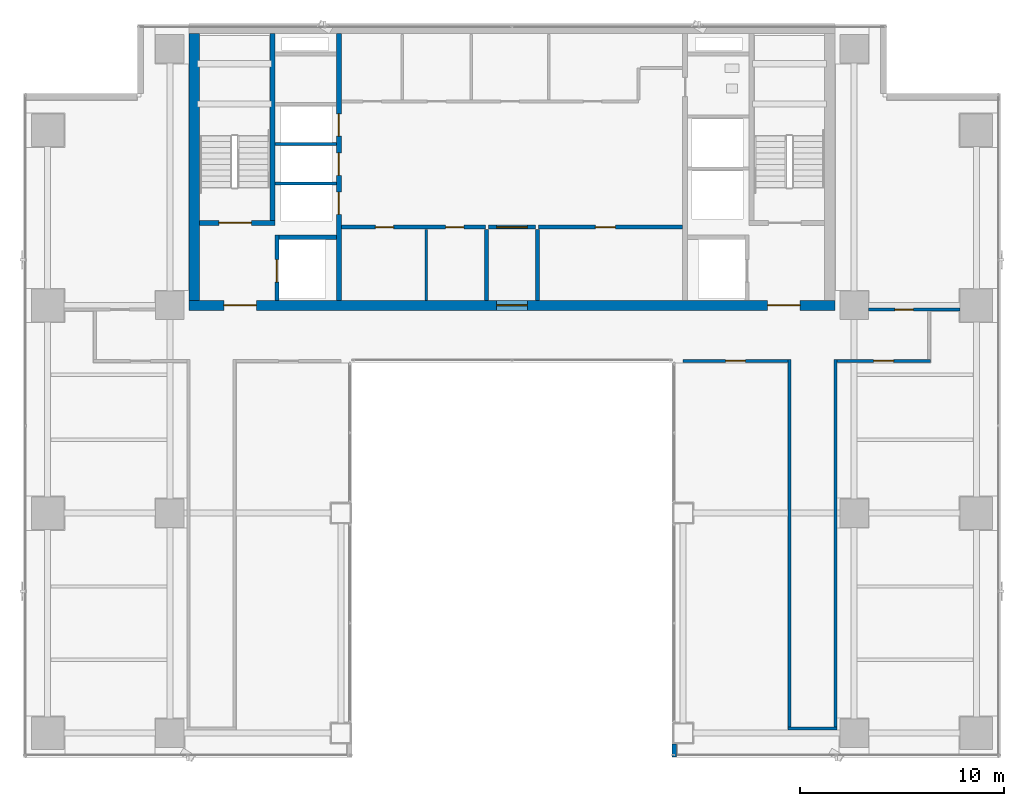
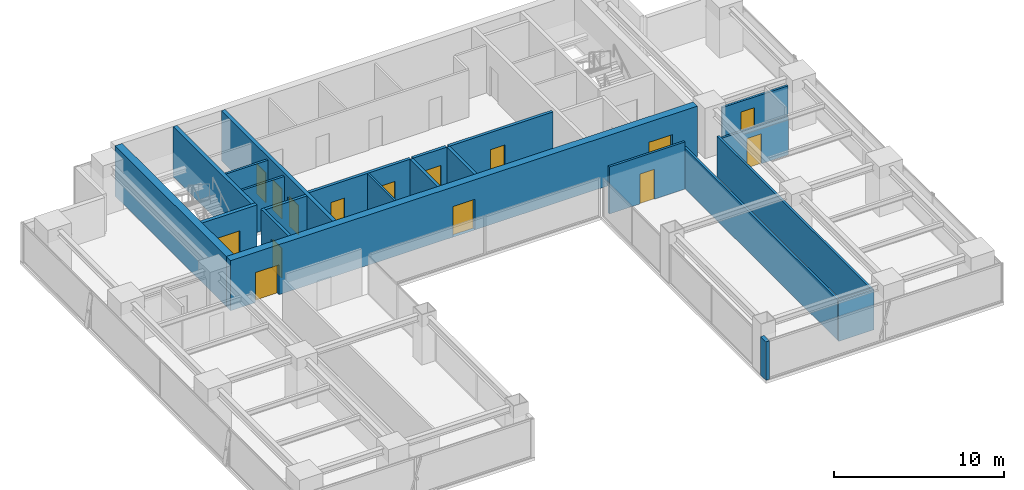
# One storey, part 24 of 29: 22 walls, 15 doors, 15 openings.
"""IFC4 building model written with IfcOpenShell, lengths in metres."""

from ifc_helpers import new_model, si_unit, direction, frame, frame_2d, origin, place, context, subcontext, project, spatial, rectangle, extrude, source, transform, mapped, material, layer, layer_set, type_object, element, fill, save


model = new_model("IFC4")

# Units and contexts
model_context = context("Model", 3, precision=1e-05, world=origin(), true_north=direction((0.0, 1.0)))
body_context = subcontext(model_context, "Body", "Model", "MODEL_VIEW")
ifc_project = project(units=[si_unit("LENGTHUNIT", "METRE"), si_unit("AREAUNIT", "SQUARE_METRE"), si_unit("VOLUMEUNIT", "CUBIC_METRE"), si_unit("PLANEANGLEUNIT", "RADIAN"), si_unit("MASSUNIT", "GRAM", prefix="KILO")], contexts=[model_context])

# Site, building, storey
site_placement = place(None, origin())
site = spatial("IfcSite", under=ifc_project, at=site_placement, CompositionType="ELEMENT")
building_placement = place(site_placement, origin())
building = spatial("IfcBuilding", under=site, at=building_placement, Name="Sumidabori Civic Tower", CompositionType="ELEMENT")
storey_placement = place(building_placement, frame((0.0, 0.0, 214.39990234375)))
storey = spatial("IfcBuildingStorey", under=building, at=storey_placement, Name="L55", CompositionType="ELEMENT", Elevation=214.39990234375)

# Wall
ifc_material_1 = material(Name="Concrete C50/60", Category="concrete")
ifc_layer_1 = layer(ifc_material_1, 0.199951171875, Name="Concrete C50/60")
ifc_layer_set_1 = layer_set([ifc_layer_1], Name="Concrete C50/60")
wall_type_1 = type_object("IfcWallType", Name="WL-SHAFT-200", PredefinedType="SHEAR", material=ifc_layer_set_1)
shared_shape_1 = source(origin(), body_context, "Body", "SweptSolid", [
    extrude(rectangle(XDim=2.824951171875, YDim=0.199951171875, at=frame_2d((1.41259765625, 0.0))), origin(), (0.0, 0.0, 1.0), 3.60009765625),
])
wall_1_placement = place(storey_placement, frame((-11.449951171875, 13.550048828125, 0.0), z_axis=(0.0, 0.0, 1.0), x_axis=(1.0, 0.0, 0.0)))
element("IfcWall", 1, at=wall_1_placement, inside=storey, type_object=wall_type_1, Name="Core Shear Wall L55 EL1-N", PredefinedType="SHEAR", context=body_context, shape_type="MappedRepresentation", body=[
    mapped(shared_shape_1, transform((0.0, 0.0, 0.0), x_axis=(1.0, 0.0, 0.0), y_axis=(0.0, 1.0, 0.0), z_axis=(0.0, 0.0, 1.0), scale=1.0)),
])

# Wall, openings, doors
ifc_layer_2 = layer(ifc_material_1, 0.5, Name="Concrete C50/60")
ifc_layer_set_2 = layer_set([ifc_layer_2], Name="Concrete C50/60")
wall_type_2 = type_object("IfcWallType", Name="WL-CORE-500", PredefinedType="SHEAR", material=ifc_layer_set_2)
shared_shape_2 = source(origin(), body_context, "Body", "SweptSolid", [
    extrude(rectangle(XDim=31.7001953125, YDim=0.5, at=frame_2d((15.85009765625, 0.0))), origin(), (0.0, 0.0, 1.0), 3.60009765625),
])
wall_2_placement = place(storey_placement, frame((-15.85009765625, 10.199951171875, 0.0), z_axis=(0.0, 0.0, 1.0), x_axis=(1.0, 0.0, 0.0)))
wall_2 = element("IfcWall", 2, at=wall_2_placement, inside=storey, type_object=wall_type_2, Name="Core Shear Wall L55 S", PredefinedType="SHEAR", context=body_context, shape_type="MappedRepresentation", body=[
    mapped(shared_shape_2, transform((0.0, 0.0, 0.0), x_axis=(1.0, 0.0, 0.0), y_axis=(0.0, 1.0, 0.0), z_axis=(0.0, 0.0, 1.0), scale=1.0)),
])
opening_1_placement = place(wall_2_placement, frame((1.699951171875, 0.0, 0.0)))
opening_1 = element("IfcOpeningElement", 3, at=opening_1_placement, cuts=wall_2, Name="Opening DR-FD4", PredefinedType="OPENING", context=body_context, shape_type="SweptSolid", body=[
    extrude(rectangle(XDim=1.60009765625, YDim=2.14990234375, at=frame_2d((0.800048828125, 1.074951171875))), frame((0.0, 0.261962890625, 0.0), z_axis=(0.0, -1.0, 0.0), x_axis=(1.0, 0.0, 0.0)), (0.0, 0.0, 1.0), 0.52392578125),
])
opening_2_placement = place(wall_2_placement, frame((28.39990234375, 0.0, 0.0)))
opening_2 = element("IfcOpeningElement", 4, at=opening_2_placement, cuts=wall_2, Name="Opening DR-FD4", PredefinedType="OPENING", context=body_context, shape_type="SweptSolid", body=[
    extrude(rectangle(XDim=1.60009765625, YDim=2.14990234375, at=frame_2d((0.800048828125, 1.074951171875))), frame((0.0, 0.261962890625, 0.0), z_axis=(0.0, -1.0, 0.0), x_axis=(1.0, 0.0, 0.0)), (0.0, 0.0, 1.0), 0.52392578125),
])
opening_3_placement = place(wall_2_placement, frame((15.10009765625, 0.0, 0.0)))
opening_3 = element("IfcOpeningElement", 5, at=opening_3_placement, cuts=wall_2, Name="Opening DR-FD3", PredefinedType="OPENING", context=body_context, shape_type="SweptSolid", body=[
    extrude(rectangle(XDim=1.5, YDim=2.199951171875, at=frame_2d((0.75, 1.10009765625))), frame((0.0, 0.261962890625, 0.0), z_axis=(0.0, -1.0, 0.0), x_axis=(1.0, 0.0, 0.0)), (0.0, 0.0, 1.0), 0.52392578125),
])
ifc_material_2 = material(Name="Steel SN490", Category="steel")
door_type_1 = type_object("IfcDoorType", Name="DR-FD4", OperationType="DOUBLE_DOOR_SINGLE_SWING", PredefinedType="DOOR", material=ifc_material_2)
shared_shape_3 = source(origin(), body_context, "Body", "SweptSolid", [
    extrude(rectangle(XDim=1.60009765625, YDim=2.14990234375, at=frame_2d((0.800048828125, 1.074951171875))), frame((0.0, 0.02490234375, 0.0), z_axis=(0.0, -1.0, 0.0), x_axis=(1.0, 0.0, 0.0)), (0.0, 0.0, 1.0), 0.050048828125),
])
door_1_placement = place(opening_1_placement, origin())
door_1 = element("IfcDoor", 6, at=door_1_placement, inside=storey, type_object=door_type_1, Name="Door DR:L55:ELOB-W", OperationType="DOUBLE_DOOR_SINGLE_SWING", OverallHeight=2.14990234375, OverallWidth=1.60009765625, PredefinedType="DOOR", context=body_context, shape_type="MappedRepresentation", body=[
    mapped(shared_shape_3, transform((0.0, 0.0, 0.0), x_axis=(1.0, 0.0, 0.0), y_axis=(0.0, 1.0, 0.0), z_axis=(0.0, 0.0, 1.0), scale=1.0)),
])
fill(opening_1, door_1)
door_2_placement = place(opening_2_placement, origin())
door_2 = element("IfcDoor", 7, at=door_2_placement, inside=storey, type_object=door_type_1, Name="Door DR:L55:ELOB-E", OperationType="DOUBLE_DOOR_SINGLE_SWING", OverallHeight=2.14990234375, OverallWidth=1.60009765625, PredefinedType="DOOR", context=body_context, shape_type="MappedRepresentation", body=[
    mapped(shared_shape_3, transform((0.0, 0.0, 0.0), x_axis=(1.0, 0.0, 0.0), y_axis=(0.0, 1.0, 0.0), z_axis=(0.0, 0.0, 1.0), scale=1.0)),
])
fill(opening_2, door_2)
door_type_2 = type_object("IfcDoorType", Name="DR-FD-DBL", OperationType="DOUBLE_DOOR_SINGLE_SWING", PredefinedType="DOOR", material=ifc_material_2)
shared_shape_4 = source(origin(), body_context, "Body", "SweptSolid", [
    extrude(rectangle(XDim=1.5, YDim=2.199951171875, at=frame_2d((0.75, 1.10009765625))), frame((0.0, 0.02490234375, 0.0), z_axis=(0.0, -1.0, 0.0), x_axis=(1.0, 0.0, 0.0)), (0.0, 0.0, 1.0), 0.050048828125),
])
door_3_placement = place(opening_3_placement, origin())
door_3 = element("IfcDoor", 8, at=door_3_placement, inside=storey, type_object=door_type_2, Name="Door DR:L55:THROAT-OUT", OperationType="DOUBLE_DOOR_SINGLE_SWING", OverallHeight=2.199951171875, OverallWidth=1.5, PredefinedType="DOOR", context=body_context, shape_type="MappedRepresentation", body=[
    mapped(shared_shape_4, transform((0.0, 0.0, 0.0), x_axis=(1.0, 0.0, 0.0), y_axis=(0.0, 1.0, 0.0), z_axis=(0.0, 0.0, 1.0), scale=1.0)),
])
fill(opening_3, door_3)

# Wall
shared_shape_5 = source(origin(), body_context, "Body", "SweptSolid", [
    extrude(rectangle(XDim=13.10009765625, YDim=0.5, at=frame_2d((6.550048828125, 0.0))), origin(), (0.0, 0.0, 1.0), 3.60009765625),
])
wall_3_placement = place(storey_placement, frame((-15.60009765625, 10.449951171875, 0.0), z_axis=(0.0, 0.0, 1.0), x_axis=(0.0, 1.0, 0.0)))
element("IfcWall", 9, at=wall_3_placement, inside=storey, type_object=wall_type_2, Name="Core Shear Wall L55 W", PredefinedType="SHEAR", context=body_context, shape_type="MappedRepresentation", body=[
    mapped(shared_shape_5, transform((0.0, 0.0, 0.0), x_axis=(1.0, 0.0, 0.0), y_axis=(0.0, 1.0, 0.0), z_axis=(0.0, 0.0, 1.0), scale=1.0)),
])

# Wall, openings, doors
ifc_layer_3 = layer(ifc_material_1, 0.25, Name="Concrete C50/60")
ifc_layer_set_3 = layer_set([ifc_layer_3], Name="Concrete C50/60")
wall_type_3 = type_object("IfcWallType", Name="WL-SHAFT-250", PredefinedType="SHEAR", material=ifc_layer_set_3)
shared_shape_6 = source(origin(), body_context, "Body", "SweptSolid", [
    extrude(rectangle(XDim=13.10009765625, YDim=0.25, at=frame_2d((6.550048828125, 0.0))), origin(), (0.0, 0.0, 1.0), 3.60009765625),
])
wall_4_placement = place(storey_placement, frame((-8.5, 10.449951171875, 0.0), z_axis=(0.0, 0.0, 1.0), x_axis=(0.0, 1.0, 0.0)))
wall_4 = element("IfcWall", 10, at=wall_4_placement, inside=storey, type_object=wall_type_3, Name="Core Shear Wall L55 WEB-W", PredefinedType="SHEAR", context=body_context, shape_type="MappedRepresentation", body=[
    mapped(shared_shape_6, transform((0.0, 0.0, 0.0), x_axis=(1.0, 0.0, 0.0), y_axis=(0.0, 1.0, 0.0), z_axis=(0.0, 0.0, 1.0), scale=1.0)),
])
opening_4_placement = place(wall_4_placement, frame((4.219970703125, 0.0, 0.0)))
opening_4 = element("IfcOpeningElement", 11, at=opening_4_placement, cuts=wall_4, Name="Opening LD-1", PredefinedType="OPENING", context=body_context, shape_type="SweptSolid", body=[
    extrude(rectangle(XDim=1.10009765625, YDim=2.14990234375, at=frame_2d((0.550048828125, 1.074951171875))), frame((0.0, 0.136962890625, 0.0), z_axis=(0.0, -1.0, 0.0), x_axis=(1.0, 0.0, 0.0)), (0.0, 0.0, 1.0), 0.27392578125),
])
opening_5_placement = place(wall_4_placement, frame((6.139892578125, 0.0, 0.0)))
opening_5 = element("IfcOpeningElement", 12, at=opening_5_placement, cuts=wall_4, Name="Opening LD-1", PredefinedType="OPENING", context=body_context, shape_type="SweptSolid", body=[
    extrude(rectangle(XDim=1.10009765625, YDim=2.14990234375, at=frame_2d((0.550048828125, 1.074951171875))), frame((0.0, 0.136962890625, 0.0), z_axis=(0.0, -1.0, 0.0), x_axis=(1.0, 0.0, 0.0)), (0.0, 0.0, 1.0), 0.27392578125),
])
opening_6_placement = place(wall_4_placement, frame((8.06005859375, 0.0, 0.0)))
opening_6 = element("IfcOpeningElement", 13, at=opening_6_placement, cuts=wall_4, Name="Opening LD-1", PredefinedType="OPENING", context=body_context, shape_type="SweptSolid", body=[
    extrude(rectangle(XDim=1.10009765625, YDim=2.14990234375, at=frame_2d((0.550048828125, 1.074951171875))), frame((0.0, 0.136962890625, 0.0), z_axis=(0.0, -1.0, 0.0), x_axis=(1.0, 0.0, 0.0)), (0.0, 0.0, 1.0), 0.27392578125),
])
ifc_material_3 = material(Name="Stainless Steel Hairline Finish", Category="steel")
door_type_3 = type_object("IfcDoorType", Name="DR-LD1", OperationType="DOUBLE_DOOR_SLIDING", PredefinedType="DOOR", material=ifc_material_3)
shared_shape_7 = source(origin(), body_context, "Body", "SweptSolid", [
    extrude(rectangle(XDim=1.10009765625, YDim=2.14990234375, at=frame_2d((0.550048828125, 1.074951171875))), frame((0.0, 0.02490234375, 0.0), z_axis=(0.0, -1.0, 0.0), x_axis=(1.0, 0.0, 0.0)), (0.0, 0.0, 1.0), 0.050048828125),
])
door_4_placement = place(opening_4_placement, origin())
door_4 = element("IfcDoor", 14, at=door_4_placement, inside=storey, type_object=door_type_3, Name="Door DR:L55:LD-PLH1", OperationType="DOUBLE_DOOR_SLIDING", OverallHeight=2.14990234375, OverallWidth=1.10009765625, PredefinedType="DOOR", context=body_context, shape_type="MappedRepresentation", body=[
    mapped(shared_shape_7, transform((0.0, 0.0, 0.0), x_axis=(1.0, 0.0, 0.0), y_axis=(0.0, 1.0, 0.0), z_axis=(0.0, 0.0, 1.0), scale=1.0)),
])
fill(opening_4, door_4)
door_5_placement = place(opening_5_placement, origin())
door_5 = element("IfcDoor", 15, at=door_5_placement, inside=storey, type_object=door_type_3, Name="Door DR:L55:LD-PLH2", OperationType="DOUBLE_DOOR_SLIDING", OverallHeight=2.14990234375, OverallWidth=1.10009765625, PredefinedType="DOOR", context=body_context, shape_type="MappedRepresentation", body=[
    mapped(shared_shape_7, transform((0.0, 0.0, 0.0), x_axis=(1.0, 0.0, 0.0), y_axis=(0.0, 1.0, 0.0), z_axis=(0.0, 0.0, 1.0), scale=1.0)),
])
fill(opening_5, door_5)
door_6_placement = place(opening_6_placement, origin())
door_6 = element("IfcDoor", 16, at=door_6_placement, inside=storey, type_object=door_type_3, Name="Door DR:L55:LD-PLH3", OperationType="DOUBLE_DOOR_SLIDING", OverallHeight=2.14990234375, OverallWidth=1.10009765625, PredefinedType="DOOR", context=body_context, shape_type="MappedRepresentation", body=[
    mapped(shared_shape_7, transform((0.0, 0.0, 0.0), x_axis=(1.0, 0.0, 0.0), y_axis=(0.0, 1.0, 0.0), z_axis=(0.0, 0.0, 1.0), scale=1.0)),
])
fill(opening_6, door_6)

# Wall, opening, door
shared_shape_8 = source(origin(), body_context, "Body", "SweptSolid", [
    extrude(rectangle(XDim=3.705078125, YDim=0.25, at=frame_2d((1.8525390625, 0.0))), origin(), (0.0, 0.0, 1.0), 3.60009765625),
])
wall_5_placement = place(storey_placement, frame((-15.35009765625, 14.25, 0.0), z_axis=(0.0, 0.0, 1.0), x_axis=(1.0, 0.0, 0.0)))
wall_5 = element("IfcWall", 17, at=wall_5_placement, inside=storey, type_object=wall_type_3, Name="Core Shear Wall L55 ST1-S", PredefinedType="SHEAR", context=body_context, shape_type="MappedRepresentation", body=[
    mapped(shared_shape_8, transform((0.0, 0.0, 0.0), x_axis=(1.0, 0.0, 0.0), y_axis=(0.0, 1.0, 0.0), z_axis=(0.0, 0.0, 1.0), scale=1.0)),
])
opening_7_placement = place(wall_5_placement, frame((0.949951171875, 0.0, 0.0)))
opening_7 = element("IfcOpeningElement", 18, at=opening_7_placement, cuts=wall_5, Name="Opening DR-FD4", PredefinedType="OPENING", context=body_context, shape_type="SweptSolid", body=[
    extrude(rectangle(XDim=1.60009765625, YDim=2.14990234375, at=frame_2d((0.800048828125, 1.074951171875))), frame((0.0, 0.136962890625, 0.0), z_axis=(0.0, -1.0, 0.0), x_axis=(1.0, 0.0, 0.0)), (0.0, 0.0, 1.0), 0.27392578125),
])
door_7_placement = place(opening_7_placement, origin())
door_7 = element("IfcDoor", 19, at=door_7_placement, inside=storey, type_object=door_type_1, Name="Door DR:L55:ST1", OperationType="DOUBLE_DOOR_SINGLE_SWING", OverallHeight=2.14990234375, OverallWidth=1.60009765625, PredefinedType="DOOR", context=body_context, shape_type="MappedRepresentation", body=[
    mapped(shared_shape_3, transform((0.0, 0.0, 0.0), x_axis=(1.0, 0.0, 0.0), y_axis=(0.0, 1.0, 0.0), z_axis=(0.0, 0.0, 1.0), scale=1.0)),
])
fill(opening_7, door_7)

# Wall
shared_shape_9 = source(origin(), body_context, "Body", "SweptSolid", [
    extrude(rectangle(XDim=9.175048828125, YDim=0.25, at=frame_2d((4.58740234375, 0.0))), origin(), (0.0, 0.0, 1.0), 3.60009765625),
])
wall_6_placement = place(storey_placement, frame((-11.77001953125, 14.375, 0.0), z_axis=(0.0, 0.0, 1.0), x_axis=(0.0, 1.0, 0.0)))
element("IfcWall", 20, at=wall_6_placement, inside=storey, type_object=wall_type_3, Name="Core Shear Wall L55 ST1-E", PredefinedType="SHEAR", context=body_context, shape_type="MappedRepresentation", body=[
    mapped(shared_shape_9, transform((0.0, 0.0, 0.0), x_axis=(1.0, 0.0, 0.0), y_axis=(0.0, 1.0, 0.0), z_axis=(0.0, 0.0, 1.0), scale=1.0)),
])

# Wall, opening, door
shared_shape_10 = source(origin(), body_context, "Body", "SweptSolid", [
    extrude(rectangle(XDim=3.199951171875, YDim=0.199951171875, at=frame_2d((1.60009765625, 0.0))), origin(), (0.0, 0.0, 1.0), 3.60009765625),
])
wall_7_placement = place(storey_placement, frame((-11.550048828125, 10.449951171875, 0.0), z_axis=(0.0, 0.0, 1.0), x_axis=(0.0, 1.0, 0.0)))
wall_7 = element("IfcWall", 21, at=wall_7_placement, inside=storey, type_object=wall_type_1, Name="Core Shear Wall L55 EL1-W", PredefinedType="SHEAR", context=body_context, shape_type="MappedRepresentation", body=[
    mapped(shared_shape_10, transform((0.0, 0.0, 0.0), x_axis=(1.0, 0.0, 0.0), y_axis=(0.0, 1.0, 0.0), z_axis=(0.0, 0.0, 1.0), scale=1.0)),
])
opening_8_placement = place(wall_7_placement, frame((0.89990234375, 0.0, 0.0)))
opening_8 = element("IfcOpeningElement", 22, at=opening_8_placement, cuts=wall_7, Name="Opening LD-2", PredefinedType="OPENING", context=body_context, shape_type="SweptSolid", body=[
    extrude(rectangle(XDim=1.10009765625, YDim=2.14990234375, at=frame_2d((0.550048828125, 1.074951171875))), frame((0.0, 0.11181640625, 0.0), z_axis=(0.0, -1.0, 0.0), x_axis=(1.0, 0.0, 0.0)), (0.0, 0.0, 1.0), 0.223876953125),
])
door_type_4 = type_object("IfcDoorType", Name="DR-LD2", OperationType="DOUBLE_DOOR_SLIDING", PredefinedType="DOOR", material=ifc_material_3)
door_8_placement = place(opening_8_placement, origin())
door_8 = element("IfcDoor", 23, at=door_8_placement, inside=storey, type_object=door_type_4, Name="Door DR:L55:LD-EL1", OperationType="DOUBLE_DOOR_SLIDING", OverallHeight=2.14990234375, OverallWidth=1.10009765625, PredefinedType="DOOR", context=body_context, shape_type="MappedRepresentation", body=[
    mapped(shared_shape_7, transform((0.0, 0.0, 0.0), x_axis=(1.0, 0.0, 0.0), y_axis=(0.0, 1.0, 0.0), z_axis=(0.0, 0.0, 1.0), scale=1.0)),
])
fill(opening_8, door_8)

# Walls
ifc_material_4 = material(Name="Precast concrete C40/50", Category="concrete")
ifc_layer_4 = layer(ifc_material_4, 0.300048828125, Name="Precast concrete C40/50")
ifc_layer_set_4 = layer_set([ifc_layer_4], Name="Precast concrete C40/50")
wall_type_4 = type_object("IfcWallType", Name="WL-EXT-POD300", PredefinedType="STANDARD", material=ifc_layer_set_4)
shared_shape_11 = source(origin(), body_context, "Body", "SweptSolid", [
    extrude(rectangle(XDim=0.639892578125, YDim=0.239990234375, at=frame_2d((0.31982421875, 0.0))), origin(), (0.0, 0.0, 1.0), 2.760009765625),
])
wall_8_placement = place(storey_placement, frame((7.969970703125, -11.330078125, 0.0), z_axis=(0.0, 0.0, 1.0), x_axis=(0.0, -1.0, 0.0)))
element("IfcWall", 24, at=wall_8_placement, inside=storey, type_object=wall_type_4, Name="Perimeter Pier Spandrel L55-08", PredefinedType="STANDARD", context=body_context, shape_type="MappedRepresentation", body=[
    mapped(shared_shape_11, transform((0.0, 0.0, 0.0), x_axis=(1.0, 0.0, 0.0), y_axis=(0.0, 1.0, 0.0), z_axis=(0.0, 0.0, 1.0), scale=1.0)),
])
ifc_material_5 = material(Name="Gypsum Plasterboard Acoustic Partition")
ifc_layer_5 = layer(ifc_material_5, 0.14990234375, Name="Gypsum Plasterboard Acoustic Partition")
ifc_layer_set_5 = layer_set([ifc_layer_5], Name="Gypsum Plasterboard Acoustic Partition")
wall_type_5 = type_object("IfcWallType", Name="WL-PART-150", PredefinedType="PARTITIONING", material=ifc_layer_set_5)
shared_shape_12 = source(origin(), body_context, "Body", "SweptSolid", [
    extrude(rectangle(XDim=3.010009765625, YDim=0.14990234375, at=frame_2d((1.5048828125, 0.0))), origin(), (0.0, 0.0, 1.0), 3.380126953125),
])
for number, where, z_axis, x_axis, name in (
    (25, (-11.639892578125, 16.199951171875, 0.0), (0.0, 0.0, 1.0), (1.0, 0.0, 0.0), "Interior Partition WL:L55:DIV-PLH1"),
    (26, (-11.639892578125, 18.1201171875, 0.0), (0.0, 0.0, 1.0), (1.0, 0.0, 0.0), "Interior Partition WL:L55:DIV-PLH2"),
):
    element("IfcWall", number, at=place(storey_placement, frame(where, z_axis=z_axis, x_axis=x_axis)), inside=storey, type_object=wall_type_5, Name=name, PredefinedType="PARTITIONING", context=body_context, shape_type="MappedRepresentation", body=[
        mapped(shared_shape_12, transform((0.0, 0.0, 0.0), x_axis=(1.0, 0.0, 0.0), y_axis=(0.0, 1.0, 0.0), z_axis=(0.0, 0.0, 1.0), scale=1.0)),
    ])

# Wall, openings, doors
ifc_material_6 = material(Name="Gypsum Plasterboard Fire Partition")
ifc_layer_6 = layer(ifc_material_6, 0.199951171875, Name="Gypsum Plasterboard Fire Partition")
ifc_layer_set_6 = layer_set([ifc_layer_6], Name="Gypsum Plasterboard Fire Partition")
wall_type_6 = type_object("IfcWallType", Name="WL-PART-FIRE", PredefinedType="PARTITIONING", material=ifc_layer_set_6)
shared_shape_13 = source(origin(), body_context, "Body", "SweptSolid", [
    extrude(rectangle(XDim=7.070068359375, YDim=0.199951171875, at=frame_2d((3.53515625, 0.0))), origin(), (0.0, 0.0, 1.0), 3.380126953125),
])
wall_9_placement = place(storey_placement, frame((-8.3701171875, 14.050048828125, 0.0), z_axis=(0.0, 0.0, 1.0), x_axis=(1.0, 0.0, 0.0)))
wall_9 = element("IfcWall", 27, at=wall_9_placement, inside=storey, type_object=wall_type_6, Name="Interior Partition WL:L55:CBAND-SW", PredefinedType="PARTITIONING", context=body_context, shape_type="MappedRepresentation", body=[
    mapped(shared_shape_13, transform((0.0, 0.0, 0.0), x_axis=(1.0, 0.0, 0.0), y_axis=(0.0, 1.0, 0.0), z_axis=(0.0, 0.0, 1.0), scale=1.0)),
])
opening_9_placement = place(wall_9_placement, frame((1.659912109375, 0.0, 0.0)))
opening_9 = element("IfcOpeningElement", 28, at=opening_9_placement, cuts=wall_9, Name="Opening DR-1", PredefinedType="OPENING", context=body_context, shape_type="SweptSolid", body=[
    extrude(rectangle(XDim=0.89990234375, YDim=2.14990234375, at=frame_2d((0.449951171875, 1.074951171875))), frame((0.0, 0.11181640625, 0.0), z_axis=(0.0, -1.0, 0.0), x_axis=(1.0, 0.0, 0.0)), (0.0, 0.0, 1.0), 0.223876953125),
])
opening_10_placement = place(wall_9_placement, frame((5.110107421875, 0.0, 0.0)))
opening_10 = element("IfcOpeningElement", 29, at=opening_10_placement, cuts=wall_9, Name="Opening DR-1", PredefinedType="OPENING", context=body_context, shape_type="SweptSolid", body=[
    extrude(rectangle(XDim=0.89990234375, YDim=2.14990234375, at=frame_2d((0.449951171875, 1.074951171875))), frame((0.0, 0.11181640625, 0.0), z_axis=(0.0, -1.0, 0.0), x_axis=(1.0, 0.0, 0.0)), (0.0, 0.0, 1.0), 0.223876953125),
])
ifc_material_7 = material(Name="Japanese Hinoki Timber", Category="wood")
door_type_5 = type_object("IfcDoorType", Name="DR-INT-900", OperationType="NOTDEFINED", PredefinedType="DOOR", material=ifc_material_7)
shared_shape_14 = source(origin(), body_context, "Body", "SweptSolid", [
    extrude(rectangle(XDim=0.89990234375, YDim=2.14990234375, at=frame_2d((0.449951171875, 1.074951171875))), frame((0.0, 0.02490234375, 0.0), z_axis=(0.0, -1.0, 0.0), x_axis=(1.0, 0.0, 0.0)), (0.0, 0.0, 1.0), 0.050048828125),
])
door_9_placement = place(opening_9_placement, origin())
door_9 = element("IfcDoor", 30, at=door_9_placement, inside=storey, type_object=door_type_5, Name="Door DR:L55:REC-B1A", OperationType="SINGLE_SWING_LEFT", OverallHeight=2.14990234375, OverallWidth=0.89990234375, PredefinedType="DOOR", context=body_context, shape_type="MappedRepresentation", body=[
    mapped(shared_shape_14, transform((0.0, 0.0, 0.0), x_axis=(1.0, 0.0, 0.0), y_axis=(0.0, 1.0, 0.0), z_axis=(0.0, 0.0, 1.0), scale=1.0)),
])
fill(opening_9, door_9)
door_10_placement = place(opening_10_placement, origin())
door_10 = element("IfcDoor", 31, at=door_10_placement, inside=storey, type_object=door_type_5, Name="Door DR:L55:REC-B1B", OperationType="SINGLE_SWING_RIGHT", OverallHeight=2.14990234375, OverallWidth=0.89990234375, PredefinedType="DOOR", context=body_context, shape_type="MappedRepresentation", body=[
    mapped(shared_shape_14, transform((0.0, 0.0, 0.0), x_axis=(1.0, 0.0, 0.0), y_axis=(0.0, 1.0, 0.0), z_axis=(0.0, 0.0, 1.0), scale=1.0)),
])
fill(opening_10, door_10)

# Wall, opening, door
wall_10_placement = place(storey_placement, frame((1.300048828125, 14.050048828125, 0.0), z_axis=(0.0, 0.0, 1.0), x_axis=(1.0, 0.0, 0.0)))
wall_10 = element("IfcWall", 32, at=wall_10_placement, inside=storey, type_object=wall_type_6, Name="Interior Partition WL:L55:CBAND-SE", PredefinedType="PARTITIONING", context=body_context, shape_type="MappedRepresentation", body=[
    mapped(shared_shape_13, transform((0.0, 0.0, 0.0), x_axis=(1.0, 0.0, 0.0), y_axis=(0.0, 1.0, 0.0), z_axis=(0.0, 0.0, 1.0), scale=1.0)),
])
opening_11_placement = place(wall_10_placement, frame((2.800048828125, 0.0, 0.0)))
opening_11 = element("IfcOpeningElement", 33, at=opening_11_placement, cuts=wall_10, Name="Opening DR-3", PredefinedType="OPENING", context=body_context, shape_type="SweptSolid", body=[
    extrude(rectangle(XDim=0.97998046875, YDim=2.14990234375, at=frame_2d((0.489990234375, 1.074951171875))), frame((0.0, 0.11181640625, 0.0), z_axis=(0.0, -1.0, 0.0), x_axis=(1.0, 0.0, 0.0)), (0.0, 0.0, 1.0), 0.223876953125),
])
door_type_6 = type_object("IfcDoorType", Name="DR-INT-980", OperationType="NOTDEFINED", PredefinedType="DOOR", material=ifc_material_7)
shared_shape_15 = source(origin(), body_context, "Body", "SweptSolid", [
    extrude(rectangle(XDim=0.97998046875, YDim=2.14990234375, at=frame_2d((0.489990234375, 1.074951171875))), frame((0.0, 0.02490234375, 0.0), z_axis=(0.0, -1.0, 0.0), x_axis=(1.0, 0.0, 0.0)), (0.0, 0.0, 1.0), 0.050048828125),
])
door_11_placement = place(opening_11_placement, origin())
door_11 = element("IfcDoor", 34, at=door_11_placement, inside=storey, type_object=door_type_6, Name="Door DR:L55:REC-B2", OperationType="SINGLE_SWING_RIGHT", OverallHeight=2.14990234375, OverallWidth=0.97998046875, PredefinedType="DOOR", context=body_context, shape_type="MappedRepresentation", body=[
    mapped(shared_shape_15, transform((0.0, 0.0, 0.0), x_axis=(1.0, 0.0, 0.0), y_axis=(0.0, 1.0, 0.0), z_axis=(0.0, 0.0, 1.0), scale=1.0)),
])
fill(opening_11, door_11)

shared_shape_16 = source(origin(), body_context, "Body", "SweptSolid", [
    extrude(rectangle(XDim=2.2998046875, YDim=0.199951171875, at=frame_2d((1.14990234375, 0.0))), origin(), (0.0, 0.0, 1.0), 3.380126953125),
])
wall_11_placement = place(storey_placement, frame((-1.14990234375, 14.050048828125, 0.0), z_axis=(0.0, 0.0, 1.0), x_axis=(1.0, 0.0, 0.0)))
wall_11 = element("IfcWall", 35, at=wall_11_placement, inside=storey, type_object=wall_type_6, Name="Interior Partition WL:L55:THROAT-N", PredefinedType="PARTITIONING", context=body_context, shape_type="MappedRepresentation", body=[
    mapped(shared_shape_16, transform((0.0, 0.0, 0.0), x_axis=(1.0, 0.0, 0.0), y_axis=(0.0, 1.0, 0.0), z_axis=(0.0, 0.0, 1.0), scale=1.0)),
])
opening_12_placement = place(wall_11_placement, frame((0.39990234375, 0.0, 0.0)))
opening_12 = element("IfcOpeningElement", 36, at=opening_12_placement, cuts=wall_11, Name="Opening DR-FD3", PredefinedType="OPENING", context=body_context, shape_type="SweptSolid", body=[
    extrude(rectangle(XDim=1.5, YDim=2.199951171875, at=frame_2d((0.75, 1.10009765625))), frame((0.0, 0.11181640625, 0.0), z_axis=(0.0, -1.0, 0.0), x_axis=(1.0, 0.0, 0.0)), (0.0, 0.0, 1.0), 0.223876953125),
])
door_12_placement = place(opening_12_placement, origin())
door_12 = element("IfcDoor", 37, at=door_12_placement, inside=storey, type_object=door_type_2, Name="Door DR:L55:THROAT-IN", OperationType="DOUBLE_DOOR_SINGLE_SWING", OverallHeight=2.199951171875, OverallWidth=1.5, PredefinedType="DOOR", context=body_context, shape_type="MappedRepresentation", body=[
    mapped(shared_shape_4, transform((0.0, 0.0, 0.0), x_axis=(1.0, 0.0, 0.0), y_axis=(0.0, 1.0, 0.0), z_axis=(0.0, 0.0, 1.0), scale=1.0)),
])
fill(opening_12, door_12)

# Walls
shared_shape_17 = source(origin(), body_context, "Body", "SweptSolid", [
    extrude(rectangle(XDim=3.489990234375, YDim=0.199951171875, at=frame_2d((1.7451171875, 0.0))), origin(), (0.0, 0.0, 1.0), 3.380126953125),
])
for number, where, z_axis, x_axis, name in (
    (38, (-1.25, 10.449951171875, 0.0), (0.0, 0.0, 1.0), (0.0, 1.0, 0.0), "Interior Partition WL:L55:THROAT-W"),
    (39, (1.25, 10.449951171875, 0.0), (0.0, 0.0, 1.0), (0.0, 1.0, 0.0), "Interior Partition WL:L55:THROAT-E"),
):
    element("IfcWall", number, at=place(storey_placement, frame(where, z_axis=z_axis, x_axis=x_axis)), inside=storey, type_object=wall_type_6, Name=name, PredefinedType="PARTITIONING", context=body_context, shape_type="MappedRepresentation", body=[
        mapped(shared_shape_17, transform((0.0, 0.0, 0.0), x_axis=(1.0, 0.0, 0.0), y_axis=(0.0, 1.0, 0.0), z_axis=(0.0, 0.0, 1.0), scale=1.0)),
    ])
ifc_layer_7 = layer(ifc_material_5, 0.1201171875, Name="Gypsum Plasterboard Acoustic Partition")
ifc_layer_set_7 = layer_set([ifc_layer_7], Name="Gypsum Plasterboard Acoustic Partition")
wall_type_7 = type_object("IfcWallType", Name="WL-PART-120", PredefinedType="PARTITIONING", material=ifc_layer_set_7)
shared_shape_18 = source(origin(), body_context, "Body", "SweptSolid", [
    extrude(rectangle(XDim=3.489990234375, YDim=0.1201171875, at=frame_2d((1.7451171875, 0.0))), origin(), (0.0, 0.0, 1.0), 3.380126953125),
])
wall_12_placement = place(storey_placement, frame((-4.199951171875, 10.449951171875, 0.0), z_axis=(0.0, 0.0, 1.0), x_axis=(0.0, 1.0, 0.0)))
element("IfcWall", 40, at=wall_12_placement, inside=storey, type_object=wall_type_7, Name="Interior Partition WL:L55:REC-B1-SP", PredefinedType="PARTITIONING", context=body_context, shape_type="MappedRepresentation", body=[
    mapped(shared_shape_18, transform((0.0, 0.0, 0.0), x_axis=(1.0, 0.0, 0.0), y_axis=(0.0, 1.0, 0.0), z_axis=(0.0, 0.0, 1.0), scale=1.0)),
])

# Wall, opening, door
shared_shape_19 = source(origin(), body_context, "Body", "SweptSolid", [
    extrude(rectangle(XDim=4.47998046875, YDim=0.14990234375, at=frame_2d((2.239990234375, 0.0))), origin(), (0.0, 0.0, 1.0), 2.9150390625),
])
wall_13_placement = place(storey_placement, frame((17.510009765625, 10.0, 0.0), z_axis=(0.0, 0.0, 1.0), x_axis=(1.0, 0.0, 0.0)))
wall_13 = element("IfcWall", 41, at=wall_13_placement, inside=storey, type_object=wall_type_5, Name="Interior Partition WL:L55:FLK-NE", PredefinedType="PARTITIONING", context=body_context, shape_type="MappedRepresentation", body=[
    mapped(shared_shape_19, transform((0.0, 0.0, 0.0), x_axis=(1.0, 0.0, 0.0), y_axis=(0.0, 1.0, 0.0), z_axis=(0.0, 0.0, 1.0), scale=1.0)),
])
opening_13_placement = place(wall_13_placement, frame((1.294921875, 0.0, 0.0)))
opening_13 = element("IfcOpeningElement", 42, at=opening_13_placement, cuts=wall_13, Name="Opening DR-1", PredefinedType="OPENING", context=body_context, shape_type="SweptSolid", body=[
    extrude(rectangle(XDim=0.89990234375, YDim=2.14990234375, at=frame_2d((0.449951171875, 1.074951171875))), frame((0.0, 0.0869140625, 0.0), z_axis=(0.0, -1.0, 0.0), x_axis=(1.0, 0.0, 0.0)), (0.0, 0.0, 1.0), 0.173828125),
])
door_13_placement = place(opening_13_placement, origin())
door_13 = element("IfcDoor", 43, at=door_13_placement, inside=storey, type_object=door_type_5, Name="Door DR:L55:FLK-NE", OperationType="SINGLE_SWING_RIGHT", OverallHeight=2.14990234375, OverallWidth=0.89990234375, PredefinedType="DOOR", context=body_context, shape_type="MappedRepresentation", body=[
    mapped(shared_shape_14, transform((0.0, 0.0, 0.0), x_axis=(1.0, 0.0, 0.0), y_axis=(0.0, 1.0, 0.0), z_axis=(0.0, 0.0, 1.0), scale=1.0)),
])
fill(opening_13, door_13)

shared_shape_20 = source(origin(), body_context, "Body", "SweptSolid", [
    extrude(rectangle(XDim=4.60009765625, YDim=0.14990234375, at=frame_2d((2.300048828125, 0.0))), origin(), (0.0, 0.0, 1.0), 2.76513671875),
])
wall_14_placement = place(storey_placement, frame((15.949951171875, 7.47509765625, 0.0), z_axis=(0.0, 0.0, 1.0), x_axis=(1.0, 0.0, 0.0)))
wall_14 = element("IfcWall", 44, at=wall_14_placement, inside=storey, type_object=wall_type_5, Name="Interior Partition WL:L55:CORR-SEO", PredefinedType="PARTITIONING", context=body_context, shape_type="MappedRepresentation", body=[
    mapped(shared_shape_20, transform((0.0, 0.0, 0.0), x_axis=(1.0, 0.0, 0.0), y_axis=(0.0, 1.0, 0.0), z_axis=(0.0, 0.0, 1.0), scale=1.0)),
])
opening_14_placement = place(wall_14_placement, frame((1.81005859375, 0.0, 0.0)))
opening_14 = element("IfcOpeningElement", 45, at=opening_14_placement, cuts=wall_14, Name="Opening DR-3", PredefinedType="OPENING", context=body_context, shape_type="SweptSolid", body=[
    extrude(rectangle(XDim=0.97998046875, YDim=2.14990234375, at=frame_2d((0.489990234375, 1.074951171875))), frame((0.0, 0.0869140625, 0.0), z_axis=(0.0, -1.0, 0.0), x_axis=(1.0, 0.0, 0.0)), (0.0, 0.0, 1.0), 0.173828125),
])
door_14_placement = place(opening_14_placement, origin())
door_14 = element("IfcDoor", 46, at=door_14_placement, inside=storey, type_object=door_type_6, Name="Door DR:L55:D04", OperationType="SINGLE_SWING_RIGHT", OverallHeight=2.14990234375, OverallWidth=0.97998046875, PredefinedType="DOOR", context=body_context, shape_type="MappedRepresentation", body=[
    mapped(shared_shape_15, transform((0.0, 0.0, 0.0), x_axis=(1.0, 0.0, 0.0), y_axis=(0.0, 1.0, 0.0), z_axis=(0.0, 0.0, 1.0), scale=1.0)),
])
fill(opening_14, door_14)

shared_shape_21 = source(origin(), body_context, "Body", "SweptSolid", [
    extrude(rectangle(XDim=5.150146484375, YDim=0.14990234375, at=frame_2d((2.5751953125, 0.0))), origin(), (0.0, 0.0, 1.0), 3.380126953125),
])
wall_15_placement = place(storey_placement, frame((8.39990234375, 7.47509765625, 0.0), z_axis=(0.0, 0.0, 1.0), x_axis=(1.0, 0.0, 0.0)))
wall_15 = element("IfcWall", 47, at=wall_15_placement, inside=storey, type_object=wall_type_5, Name="Interior Partition WL:L55:CORR-SEI", PredefinedType="PARTITIONING", context=body_context, shape_type="MappedRepresentation", body=[
    mapped(shared_shape_21, transform((0.0, 0.0, 0.0), x_axis=(1.0, 0.0, 0.0), y_axis=(0.0, 1.0, 0.0), z_axis=(0.0, 0.0, 1.0), scale=1.0)),
])
opening_15_placement = place(wall_15_placement, frame((2.0849609375, 0.0, 0.0)))
opening_15 = element("IfcOpeningElement", 48, at=opening_15_placement, cuts=wall_15, Name="Opening DR-3", PredefinedType="OPENING", context=body_context, shape_type="SweptSolid", body=[
    extrude(rectangle(XDim=0.97998046875, YDim=2.14990234375, at=frame_2d((0.489990234375, 1.074951171875))), frame((0.0, 0.0869140625, 0.0), z_axis=(0.0, -1.0, 0.0), x_axis=(1.0, 0.0, 0.0)), (0.0, 0.0, 1.0), 0.173828125),
])
door_15_placement = place(opening_15_placement, origin())
door_15 = element("IfcDoor", 49, at=door_15_placement, inside=storey, type_object=door_type_6, Name="Door DR:L55:D06", OperationType="SINGLE_SWING_RIGHT", OverallHeight=2.14990234375, OverallWidth=0.97998046875, PredefinedType="DOOR", context=body_context, shape_type="MappedRepresentation", body=[
    mapped(shared_shape_15, transform((0.0, 0.0, 0.0), x_axis=(1.0, 0.0, 0.0), y_axis=(0.0, 1.0, 0.0), z_axis=(0.0, 0.0, 1.0), scale=1.0)),
])
fill(opening_15, door_15)

# Walls
shared_shape_22 = source(origin(), body_context, "Body", "SweptSolid", [
    extrude(rectangle(XDim=2.39990234375, YDim=0.14990234375, at=frame_2d((1.199951171875, 0.0))), origin(), (0.0, 0.0, 1.0), 2.9150390625),
])
wall_16_placement = place(storey_placement, frame((13.550048828125, -10.574951171875, 0.0), z_axis=(0.0, 0.0, 1.0), x_axis=(1.0, 0.0, 0.0)))
element("IfcWall", 50, at=wall_16_placement, inside=storey, type_object=wall_type_5, Name="Interior Partition WL:L55:CORR-CAP-E", PredefinedType="PARTITIONING", context=body_context, shape_type="MappedRepresentation", body=[
    mapped(shared_shape_22, transform((0.0, 0.0, 0.0), x_axis=(1.0, 0.0, 0.0), y_axis=(0.0, 1.0, 0.0), z_axis=(0.0, 0.0, 1.0), scale=1.0)),
])
shared_shape_23 = source(origin(), body_context, "Body", "SweptSolid", [
    extrude(rectangle(XDim=18.045166015625, YDim=0.14990234375, at=frame_2d((9.0224609375, 0.0))), origin(), (0.0, 0.0, 1.0), 2.9150390625),
])
for number, where, z_axis, x_axis, name in (
    (51, (13.625, -10.4951171875, 0.0), (0.0, 0.0, 1.0), (0.0, 1.0, 0.0), "Interior Partition WL:L55:CORR-VPE-I"),
    (52, (15.875, -10.4951171875, 0.0), (0.0, 0.0, 1.0), (0.0, 1.0, 0.0), "Interior Partition WL:L55:CORR-VPE-O"),
):
    element("IfcWall", number, at=place(storey_placement, frame(where, z_axis=z_axis, x_axis=x_axis)), inside=storey, type_object=wall_type_5, Name=name, PredefinedType="PARTITIONING", context=body_context, shape_type="MappedRepresentation", body=[
        mapped(shared_shape_23, transform((0.0, 0.0, 0.0), x_axis=(1.0, 0.0, 0.0), y_axis=(0.0, 1.0, 0.0), z_axis=(0.0, 0.0, 1.0), scale=1.0)),
    ])

save(model, "model.ifc")
